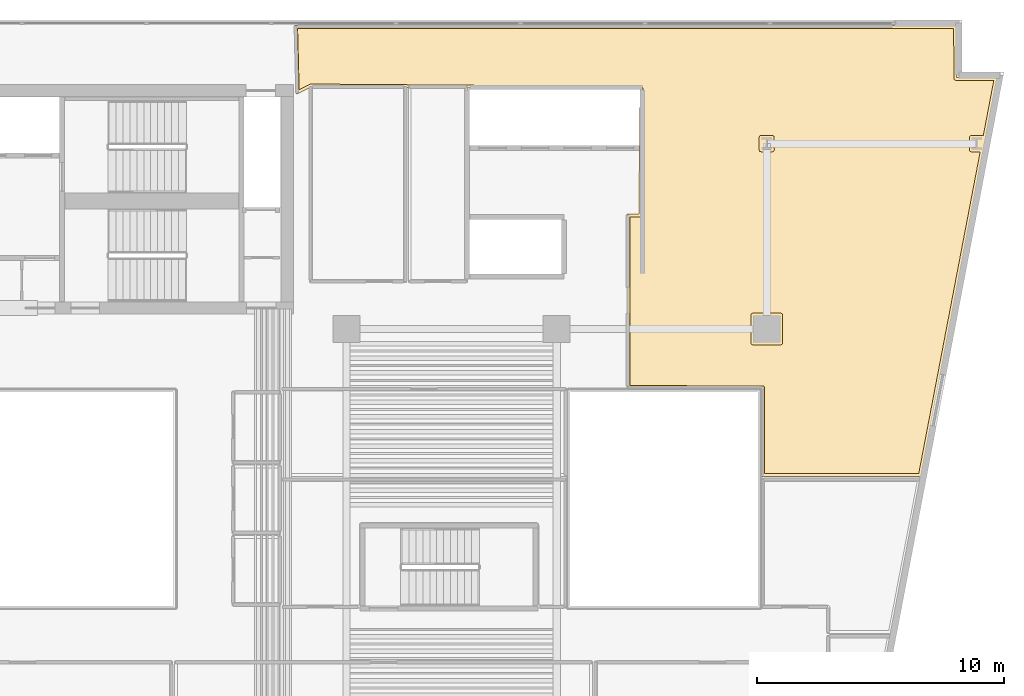
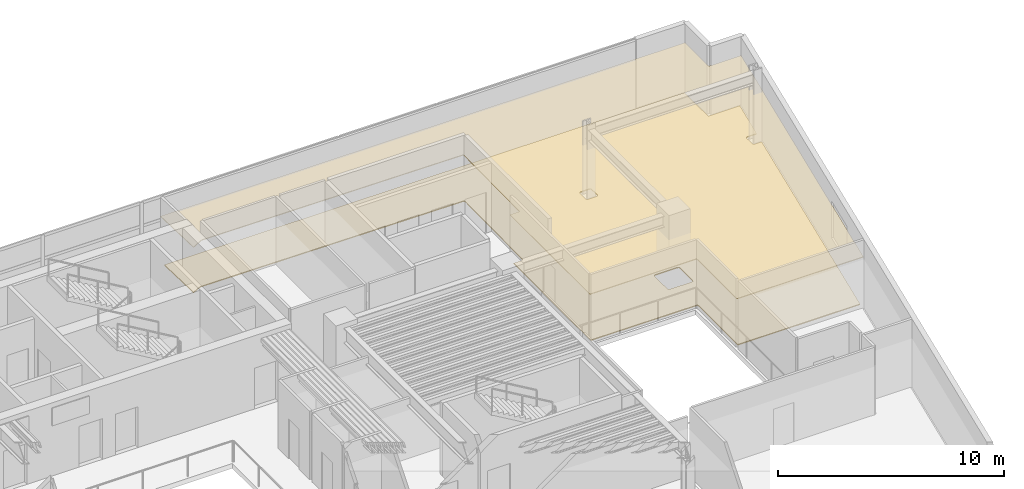
# One storey, part 13 of 13: 2 coverings.
"""IFC4 building model written with IfcOpenShell, lengths in metres."""

from ifc_helpers import new_model, si_unit, direction, frame, origin, place, context, subcontext, project, spatial, polyline, outline, extrude, material, layer, layer_set, type_object, element, save


model = new_model("IFC4")

# Units and contexts
model_context = context("Model", 3, precision=1e-05, world=origin(), true_north=direction((0.0, 1.0)))
body_context = subcontext(model_context, "Body", "Model", "MODEL_VIEW")
ifc_project = project(units=[si_unit("LENGTHUNIT", "METRE"), si_unit("AREAUNIT", "SQUARE_METRE"), si_unit("VOLUMEUNIT", "CUBIC_METRE"), si_unit("PLANEANGLEUNIT", "RADIAN"), si_unit("MASSUNIT", "GRAM", prefix="KILO")], contexts=[model_context])

# Site, building, storey
site_placement = place(None, origin())
site = spatial("IfcSite", under=ifc_project, at=site_placement, CompositionType="ELEMENT")
building_placement = place(site_placement, origin())
building = spatial("IfcBuilding", under=site, at=building_placement, Name="Caeloran Harvest Quay", CompositionType="ELEMENT")
storey_placement = place(building_placement, frame((0.0, 0.0, 135.10009765625)))
storey = spatial("IfcBuildingStorey", under=building, at=storey_placement, Name="L31", CompositionType="ELEMENT", Elevation=135.10009765625)

# Coverings
ifc_material_1 = material(Name="Perforated Mineral-Fibre Acoustic Ceiling Tile", Category="ceiling")
ifc_layer_1 = layer(ifc_material_1, 0.0400390625, Name="Perforated Mineral-Fibre Acoustic Ceiling Tile")
ifc_layer_set_1 = layer_set([ifc_layer_1], Name="Perforated Mineral-Fibre Acoustic Ceiling Tile")
covering_type_1 = type_object("IfcCoveringType", Name="COV-CEILING-ACOUSTIC", PredefinedType="CEILING", material=ifc_layer_set_1)
covering_1_placement = place(storey_placement, frame((0.0, 0.0, 2.599853515625)))
element("IfcCovering", 1, at=covering_1_placement, inside=storey, type_object=covering_type_1, Name="Food Texture Sensory Laboratory 9 Acoustic Ceiling", PredefinedType="CEILING", context=body_context, shape_type="SweptSolid", body=[
    extrude(outline(polyline([(48.75048828125, 25.0400390625), (42.2900390625, 25.0400390625), (42.2900390625, 28.590087890625), (36.840087890625, 28.590087890625), (36.840087890625, 35.659912109375), (37.330322265625, 35.659912109375), (37.36962890625, 40.690185546875), (24.059326171875, 40.789794921875), (23.4716796875, 40.4912109375), (23.39990234375, 43.280029296875), (50.179931640625, 43.280029296875), (50.179931640625, 41.179931640625), (51.8330078125, 41.179931640625), (48.75048828125, 25.0400390625)])), origin(), (0.0, 0.0, 1.0), 0.0400390625),
])
ifc_material_2 = material(Name="Calcium-Sulphate Raised Access Floor and Terrazzo Finish", Category="flooring")
ifc_layer_2 = layer(ifc_material_2, 0.050048828125, Name="Calcium-Sulphate Raised Access Floor and Terrazzo Finish")
ifc_layer_set_2 = layer_set([ifc_layer_2], Name="Calcium-Sulphate Raised Access Floor and Terrazzo Finish")
covering_type_2 = type_object("IfcCoveringType", Name="COV-FLOOR-RAISED", PredefinedType="FLOORING", material=ifc_layer_set_2)
covering_2_placement = place(storey_placement, origin())
element("IfcCovering", 2, at=covering_2_placement, inside=storey, type_object=covering_type_2, Name="Food Texture Sensory Laboratory 9 Raised Finish Flooring", PredefinedType="FLOORING", context=body_context, shape_type="SweptSolid", body=[
    extrude(outline(polyline([(50.06005859375, 43.159912109375), (50.078125, 41.089111328125), (50.132080078125, 41.060302734375), (51.68798828125, 41.06005859375), (51.260986328125, 38.82421875), (50.76513671875, 38.83154296875), (50.694580078125, 38.767578125), (50.70654296875, 38.20361328125), (50.76513671875, 38.16845703125), (51.135498046875, 38.16796875), (48.6513671875, 25.159912109375), (42.409912109375, 25.159912109375), (42.409912109375, 28.6298828125), (42.37451171875, 28.696533203125), (36.9599609375, 28.7099609375), (36.9599609375, 35.5400390625), (37.377685546875, 35.540283203125), (37.44970703125, 35.611572265625), (37.489990234375, 40.7294921875), (37.467041015625, 40.7861328125), (37.41064453125, 40.81005859375), (24.050537109375, 40.909912109375), (23.586669921875, 40.684326171875), (23.52294921875, 43.159912109375), (50.06005859375, 43.159912109375)]), holes=[polyline([(41.93505859375, 31.64501953125), (41.87841796875, 31.62158203125), (41.85498046875, 31.56494140625), (41.85498046875, 30.43505859375), (41.87841796875, 30.37841796875), (41.93505859375, 30.35498046875), (43.06494140625, 30.35498046875), (43.12158203125, 30.37841796875), (43.14501953125, 30.43505859375), (43.14501953125, 31.56494140625), (43.12158203125, 31.62158203125), (43.06494140625, 31.64501953125), (41.93505859375, 31.64501953125)]), polyline([(42.806884765625, 38.248046875), (42.788818359375, 38.802734375), (42.73486328125, 38.83154296875), (42.27294921875, 38.83203125), (42.21630859375, 38.80859375), (42.193115234375, 38.751953125), (42.193115234375, 38.248046875), (42.21630859375, 38.19140625), (42.27294921875, 38.16796875), (42.72705078125, 38.16796875), (42.78369140625, 38.19140625), (42.806884765625, 38.248046875)])]), origin(), (0.0, 0.0, 1.0), 0.0498046875),
])

save(model, "model.ifc")
